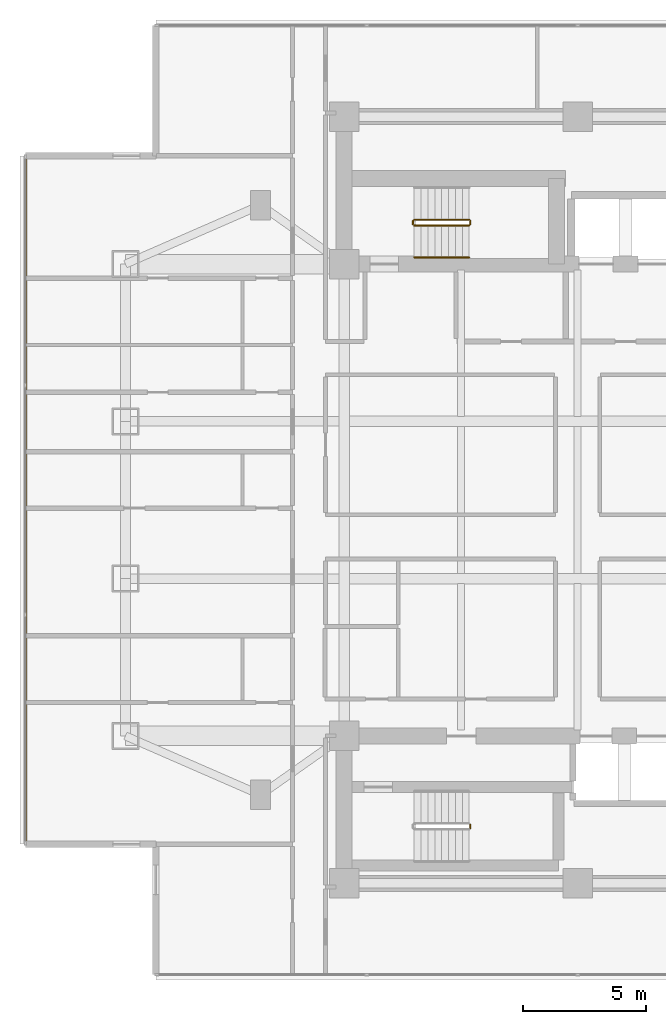
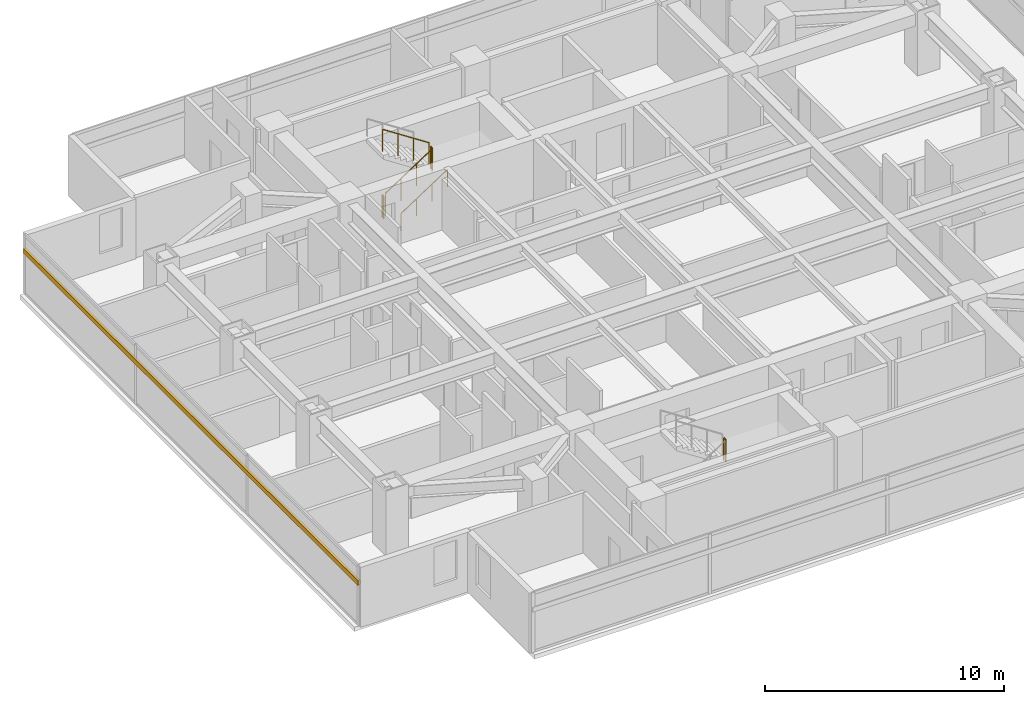
# One storey, part 23 of 26: 6 railings, 1 shading device.
"""IFC4 building model written with IfcOpenShell, lengths in metres."""

from ifc_helpers import new_model, si_unit, direction, frame, origin, origin_2d, place, context, subcontext, project, spatial, rectangle, circle, extrude, material, material_profile, profile_set, type_object, element, save


model = new_model("IFC4")

# Units and contexts
model_context = context("Model", 3, precision=1e-05, world=origin(), true_north=direction((0.0, 1.0)))
body_context = subcontext(model_context, "Body", "Model", "MODEL_VIEW")
ifc_project = project(units=[si_unit("LENGTHUNIT", "METRE"), si_unit("AREAUNIT", "SQUARE_METRE"), si_unit("VOLUMEUNIT", "CUBIC_METRE"), si_unit("PLANEANGLEUNIT", "RADIAN"), si_unit("MASSUNIT", "GRAM", prefix="KILO")], contexts=[model_context])

# Site, building, storey
site_placement = place(None, origin())
site = spatial("IfcSite", under=ifc_project, at=site_placement, CompositionType="ELEMENT")
building_placement = place(site_placement, origin())
building = spatial("IfcBuilding", under=site, at=building_placement, Name="Mirazonda Arch Towers", CompositionType="ELEMENT")
storey_placement = place(building_placement, frame((0.0, 0.0, 114.800048828125)))
storey = spatial("IfcBuildingStorey", under=building, at=storey_placement, Name="L32", CompositionType="ELEMENT", Elevation=114.800048828125)

# Shading device
ifc_material_1 = material(Name="Kiln-Fired Architectural Terracotta", Category="masonry")
ifc_material_profile = material_profile(ifc_material_1, rectangle(XDim=0.1201171875, YDim=0.239990234375, at=origin_2d()), Name="TERRA-BAG-120x240")
ifc_profile_set = profile_set([ifc_material_profile], Name="Kiln-Fired Architectural Terracotta")
shading_device_type = type_object("IfcShadingDeviceType", Name="BAGUETTE-1", PredefinedType="USERDEFINED", material=ifc_profile_set)
shading_device_placement = place(storey_placement, frame((-1.969970703125, 42.009033203125, 2.203125), z_axis=(0.0, -1.0, 0.0), x_axis=(1.0, 0.0, 0.0)))
element("IfcShadingDevice", 1, at=shading_device_placement, inside=storey, type_object=shading_device_type, Name="L32 Glazed Terracotta Sun-Screen Baguette CW-L32-T1-W", ObjectType="BAGUETTE", PredefinedType="USERDEFINED", context=body_context, shape_type="SweptSolid", body=[
    extrude(rectangle(XDim=0.1201171875, YDim=0.239990234375, at=origin_2d()), origin(), (0.0, 0.0, 1.0), 28.01806640625),
])

# Railings
ifc_material_2 = material(Name="Architectural Brushed Steel S355", Category="steel")
railing_type_1 = type_object("IfcRailingType", Name="GUARD-STAIR-1120", PredefinedType="GUARDRAIL", material=ifc_material_2)
railing_1_placement = place(storey_placement, frame((13.85009765625, 39.169921875, 0.183349609375)))
element("IfcRailing", 2, at=railing_1_placement, inside=storey, type_object=railing_type_1, Name="L32 ST-T1N stair guard 1", PredefinedType="GUARDRAIL", context=body_context, shape_type="SweptSolid", body=[
    extrude(circle(Radius=0.02392578125, at=origin_2d()), frame((0.0, 0.0, 1.1259765625), z_axis=(0.836636935527, 0.0, 0.547757827979), x_axis=(0.0, 1.0, 0.0)), (0.0, 0.0, 1.0), 2.677490234375),
    extrude(circle(Radius=0.02099609375, at=origin_2d()), origin(), (0.0, 0.0, 1.0), 1.101806640625),
    extrude(circle(Radius=0.02099609375, at=origin_2d()), frame((0.74658203125, 0.0, 0.48876953125)), (0.0, 0.0, 1.0), 1.101806640625),
    extrude(circle(Radius=0.02099609375, at=origin_2d()), frame((1.493408203125, 0.0, 0.977783203125)), (0.0, 0.0, 1.0), 1.101806640625),
    extrude(circle(Radius=0.02099609375, at=origin_2d()), frame((2.239990234375, 0.0, 1.466552734375)), (0.0, 0.0, 1.0), 1.101806640625),
])
railing_2_placement = place(storey_placement, frame((16.139892578125, 39.219970703125, 1.64990234375)))
element("IfcRailing", 3, at=railing_2_placement, inside=storey, type_object=railing_type_1, Name="L32 ST-T1N stair guard 2", PredefinedType="GUARDRAIL", context=body_context, shape_type="SweptSolid", body=[
    extrude(circle(Radius=0.02392578125, at=origin_2d()), frame((0.0, 0.0, 1.1259765625), z_axis=(0.0, 1.0, 0.0), x_axis=(-1.0, 0.0, 0.0)), (0.0, 0.0, 1.0), 0.14013671875),
    extrude(circle(Radius=0.02099609375, at=origin_2d()), origin(), (0.0, 0.0, 1.0), 1.101806640625),
    extrude(circle(Radius=0.02099609375, at=origin_2d()), frame((0.0, 0.14013671875, 0.0)), (0.0, 0.0, 1.0), 1.101806640625),
])
railing_3_placement = place(storey_placement, frame((16.090087890625, 39.409912109375, 1.833251953125)))
element("IfcRailing", 4, at=railing_3_placement, inside=storey, type_object=railing_type_1, Name="L32 ST-T1N stair guard 3", PredefinedType="GUARDRAIL", context=body_context, shape_type="SweptSolid", body=[
    extrude(circle(Radius=0.02392578125, at=origin_2d()), frame((0.0, 0.0, 1.1259765625), z_axis=(-0.836595146698, 0.0, 0.547821650285), x_axis=(0.0, -1.0, 0.0)), (0.0, 0.0, 1.0), 2.677490234375),
    extrude(circle(Radius=0.02099609375, at=origin_2d()), origin(), (0.0, 0.0, 1.0), 1.101806640625),
    extrude(circle(Radius=0.02099609375, at=origin_2d()), frame((-0.74658203125, 0.0, 0.489013671875)), (0.0, 0.0, 1.0), 1.101806640625),
    extrude(circle(Radius=0.02099609375, at=origin_2d()), frame((-1.493408203125, 0.0, 0.977783203125)), (0.0, 0.0, 1.0), 1.101806640625),
    extrude(circle(Radius=0.02099609375, at=origin_2d()), frame((-2.239990234375, 0.0, 1.466796875)), (0.0, 0.0, 1.0), 1.101806640625),
])
for number, where, name in (
    (5, (13.800048828125, 39.219970703125, 0.0), "L32 ST-T1N stair guard 4"),
    (6, (16.139892578125, 14.64990234375, 1.64990234375), "L32 ST-T1S stair guard 2"),
):
    element("IfcRailing", number, at=place(storey_placement, frame(where)), inside=storey, type_object=railing_type_1, Name=name, PredefinedType="GUARDRAIL", context=body_context, shape_type="SweptSolid", body=[
        extrude(circle(Radius=0.02392578125, at=origin_2d()), frame((0.0, 0.0, 1.1259765625), z_axis=(0.0, 1.0, 0.0), x_axis=(-1.0, 0.0, 0.0)), (0.0, 0.0, 1.0), 0.14013671875),
        extrude(circle(Radius=0.02099609375, at=origin_2d()), origin(), (0.0, 0.0, 1.0), 1.101806640625),
        extrude(circle(Radius=0.02099609375, at=origin_2d()), frame((0.0, 0.14013671875, 0.0)), (0.0, 0.0, 1.0), 1.101806640625),
    ])
railing_type_2 = type_object("IfcRailingType", Name="HANDRAIL-915", PredefinedType="HANDRAIL", material=ifc_material_2)
railing_4_placement = place(storey_placement, frame((13.85009765625, 37.8701171875, 0.183349609375)))
element("IfcRailing", 7, at=railing_4_placement, inside=storey, type_object=railing_type_2, Name="L32 ST-T1N stair handrail 1", PredefinedType="HANDRAIL", context=body_context, shape_type="SweptSolid", body=[
    extrude(circle(Radius=0.02392578125, at=origin_2d()), frame((0.0, 0.0, 0.8759765625), z_axis=(0.836636935527, 0.0, 0.547757827979), x_axis=(0.0, 1.0, 0.0)), (0.0, 0.0, 1.0), 2.677490234375),
    extrude(circle(Radius=0.02099609375, at=origin_2d()), origin(), (0.0, 0.0, 1.0), 0.851806640625),
    extrude(circle(Radius=0.02099609375, at=origin_2d()), frame((0.74658203125, 0.0, 0.48876953125)), (0.0, 0.0, 1.0), 0.851806640625),
    extrude(circle(Radius=0.02099609375, at=origin_2d()), frame((1.493408203125, 0.0, 0.977783203125)), (0.0, 0.0, 1.0), 0.851806640625),
    extrude(circle(Radius=0.02099609375, at=origin_2d()), frame((2.239990234375, 0.0, 1.466552734375)), (0.0, 0.0, 1.0), 0.851806640625),
])

save(model, "model.ifc")
